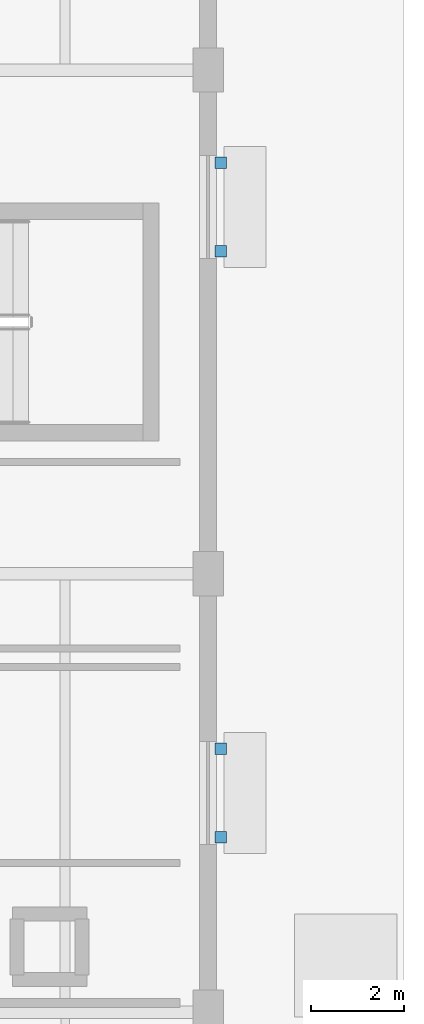
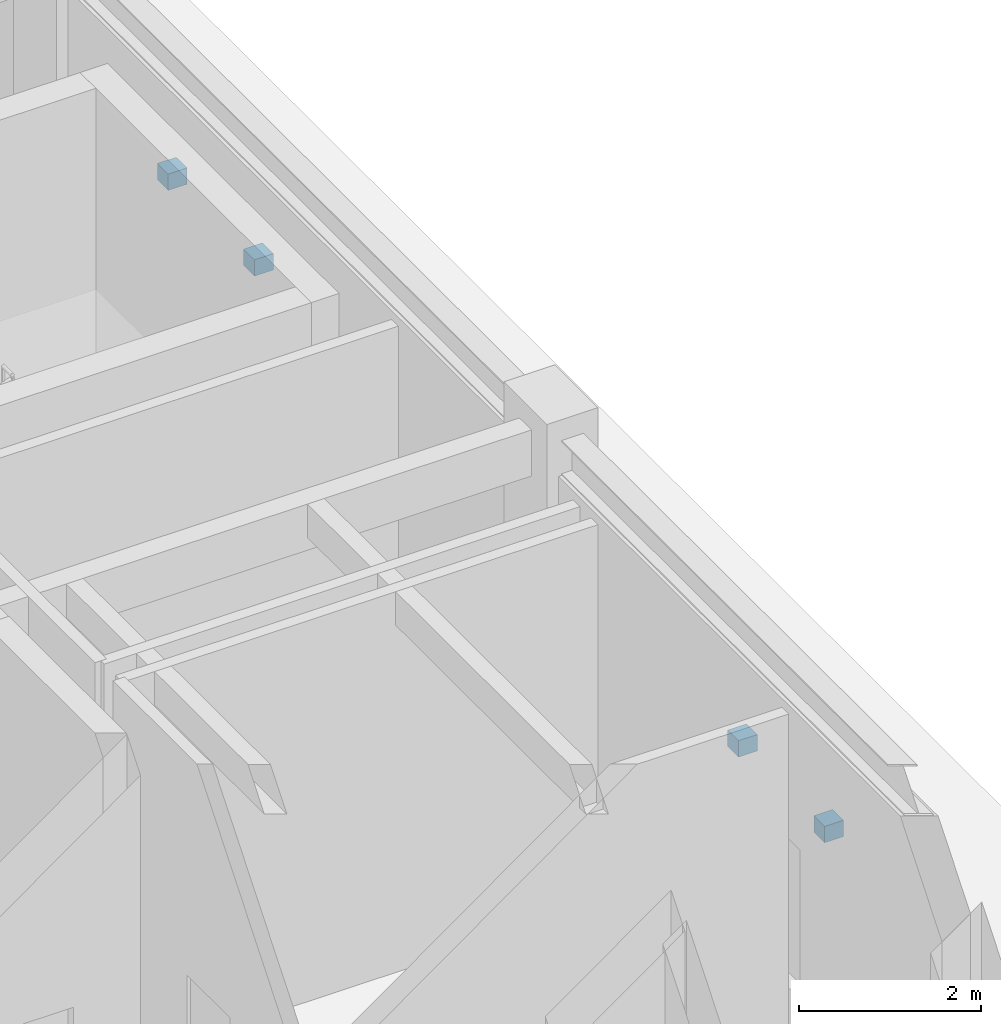
# One storey, part 43 of 54: 4 discrete accessories.
"""IFC4 building model written with IfcOpenShell, lengths in metres."""

from ifc_helpers import new_model, si_unit, direction, frame, origin, origin_2d, place, context, subcontext, project, spatial, rectangle, extrude, material, type_object, element, save


model = new_model("IFC4")

# Units and contexts
model_context = context("Model", 3, precision=1e-05, world=origin(), true_north=direction((0.0, 1.0)))
body_context = subcontext(model_context, "Body", "Model", "MODEL_VIEW")
ifc_project = project(units=[si_unit("LENGTHUNIT", "METRE"), si_unit("AREAUNIT", "SQUARE_METRE"), si_unit("VOLUMEUNIT", "CUBIC_METRE"), si_unit("PLANEANGLEUNIT", "RADIAN"), si_unit("MASSUNIT", "GRAM", prefix="KILO")], contexts=[model_context])

# Site, building, storey
site_placement = place(None, origin())
site = spatial("IfcSite", under=ifc_project, at=site_placement, CompositionType="ELEMENT")
building_placement = place(site_placement, origin())
building = spatial("IfcBuilding", under=site, at=building_placement, Name="Veldera Park Congress Hotel", CompositionType="ELEMENT")
storey_placement = place(building_placement, origin())
storey = spatial("IfcBuildingStorey", under=building, at=storey_placement, Name="L00", CompositionType="ELEMENT", Elevation=0.0)

# Discrete accessories
ifc_material = material(Name="Steel ASTM A992 Gr.50", Category="steel")
discrete_accessory_type = type_object("IfcDiscreteAccessoryType", Name="ACC-BRK160", PredefinedType="BRACKET", material=ifc_material)
for number, where, z_axis, x_axis, name in (
    (1, (84.27001953125, 30.75, 2.81982421875), (0.0, 0.0, 1.0), (0.0, 1.0, 0.0), "Shading Steel Outrigger Bracket 90L"),
    (2, (84.27001953125, 32.64990234375, 2.81982421875), (0.0, 0.0, 1.0), (0.0, 1.0, 0.0), "Shading Steel Outrigger Bracket 90R"),
    (3, (84.27001953125, 43.3134765625, 2.81982421875), (0.0, 0.0, 1.0), (0.0, 1.0, 0.0), "Shading Steel Outrigger Bracket 91L"),
    (4, (84.27001953125, 45.21337890625, 2.81982421875), (0.0, 0.0, 1.0), (0.0, 1.0, 0.0), "Shading Steel Outrigger Bracket 91R"),
):
    element("IfcDiscreteAccessory", number, at=place(storey_placement, frame(where, z_axis=z_axis, x_axis=x_axis)), inside=storey, type_object=discrete_accessory_type, Name=name, PredefinedType="BRACKET", context=body_context, shape_type="SweptSolid", body=[
        extrude(rectangle(XDim=0.239990234375, YDim=0.239990234375, at=origin_2d()), origin(), (0.0, 0.0, 1.0), 0.219970703125),
    ])

save(model, "model.ifc")
